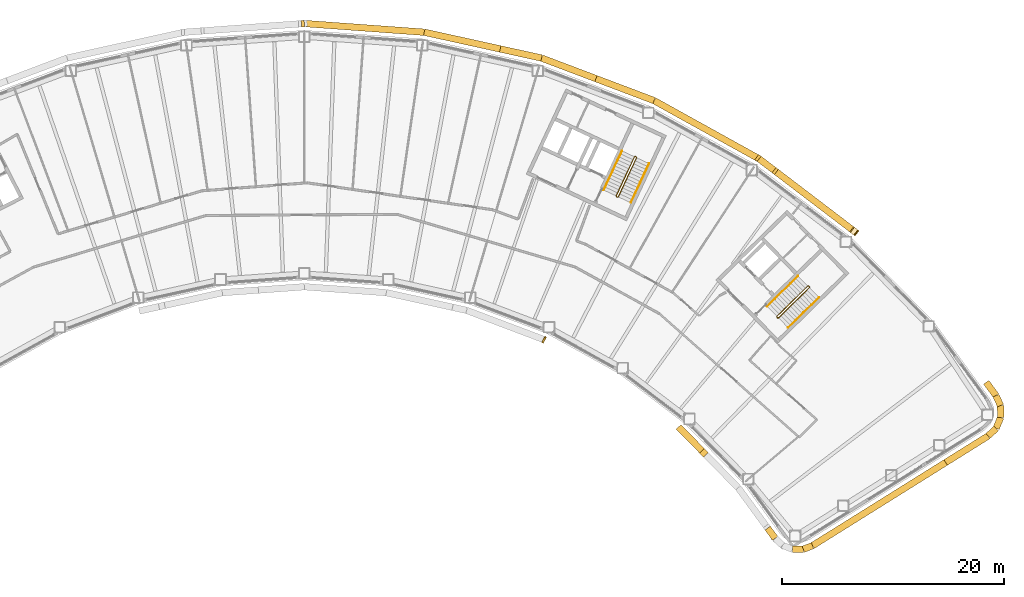
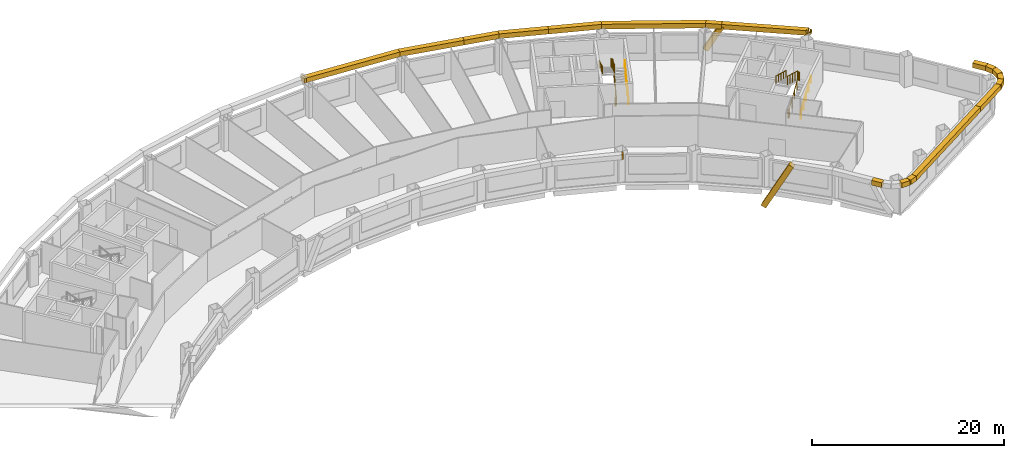
# One storey, part 11 of 11: 24 coverings, 6 railings.
"""IFC4 building model written with IfcOpenShell, lengths in metres."""

from ifc_helpers import new_model, si_unit, direction, frame, origin, origin_2d, place, context, subcontext, project, spatial, rectangle, circle, extrude, material, material_profile, profile_set, type_object, element, save


model = new_model("IFC4")

# Units and contexts
model_context = context("Model", 3, precision=1e-05, world=origin(), true_north=direction((0.0, 1.0)))
body_context = subcontext(model_context, "Body", "Model", "MODEL_VIEW")
ifc_project = project(units=[si_unit("LENGTHUNIT", "METRE"), si_unit("AREAUNIT", "SQUARE_METRE"), si_unit("VOLUMEUNIT", "CUBIC_METRE"), si_unit("PLANEANGLEUNIT", "RADIAN"), si_unit("MASSUNIT", "GRAM", prefix="KILO")], contexts=[model_context])

# Site, building, storey
site_placement = place(None, origin())
site = spatial("IfcSite", under=ifc_project, at=site_placement, CompositionType="ELEMENT")
building_placement = place(site_placement, origin())
building = spatial("IfcBuilding", under=site, at=building_placement, Name="Tuul Gate Civic Tower", CompositionType="ELEMENT")
storey_placement = place(building_placement, frame((0.0, 0.0, 142.39990234375)))
storey = spatial("IfcBuildingStorey", under=building, at=storey_placement, Name="Level 32", CompositionType="ELEMENT", Elevation=142.39990234375)

# Railings
ifc_material_1 = material(Name="Painted steel", Category="steel")
railing_type_1 = type_object("IfcRailingType", Name="Stair guard", PredefinedType="GUARDRAIL", material=ifc_material_1)
railing_1_placement = place(storey_placement, frame((48.10546875, -16.134765625, 0.0)))
element("IfcRailing", 1, at=railing_1_placement, inside=storey, type_object=railing_type_1, Name="Level 32 ST-3 stair guard 1", PredefinedType="GUARDRAIL", context=body_context, shape_type="SweptSolid", body=[
    extrude(circle(Radius=0.02392578125, at=origin_2d()), frame((0.0, 0.0, 1.076171875), z_axis=(-0.698506948293, 0.715603272202, 0.0), x_axis=(-0.715603272202, -0.698506948293, 0.0)), (0.0, 0.0, 1.0), 0.099853515625),
    extrude(circle(Radius=0.02392578125, at=origin_2d()), frame((-0.06982421875, 0.071533203125, 1.076171875), z_axis=(0.644948864628, -0.331432055434, 0.688617277337), x_axis=(0.457068866502, 0.889431307788, 0.0)), (0.0, 0.0, 1.0), 0.218017578125),
    extrude(circle(Radius=0.02392578125, at=origin_2d()), frame((0.07080078125, -0.000732421875, 1.22607421875), z_axis=(0.638731261263, 0.626133563701, 0.447190268558), x_axis=(-0.700029477518, 0.714113947914, 0.0)), (0.0, 0.0, 1.0), 4.3603515625),
    extrude(circle(Radius=0.02392578125, at=origin_2d()), frame((2.85595703125, 2.7294921875, 3.17626953125), z_axis=(0.010380063588, 0.999946125689, 0.0), x_axis=(-0.999946125689, 0.010380063588, 0.0)), (0.0, 0.0, 1.0), 0.070556640625),
    extrude(circle(Radius=0.02392578125, at=origin_2d()), frame((2.856689453125, 2.800048828125, 3.17626953125), z_axis=(-0.699754442181, 0.714383454909, 0.0), x_axis=(-0.714383454909, -0.699754442181, 0.0)), (0.0, 0.0, 1.0), 0.10009765625),
    extrude(circle(Radius=0.02392578125, at=origin_2d()), frame((2.78662109375, 2.87158203125, 3.17626953125), z_axis=(-0.427069033481, 0.004417955519, 0.904208229508), x_axis=(-0.010344274102, -0.999946496565, 0.0)), (0.0, 0.0, 1.0), 0.165771484375),
    extrude(circle(Radius=0.02392578125, at=origin_2d()), frame((2.7158203125, 2.872314453125, 3.326171875), z_axis=(-0.638715268259, -0.626117886127, 0.447235059857), x_axis=(0.700029477518, -0.714113947914, 0.0)), (0.0, 0.0, 1.0), 4.360595703125),
    extrude(circle(Radius=0.02099609375, at=origin_2d()), origin(), (0.0, 0.0, 1.0), 1.052001953125),
    extrude(circle(Radius=0.02099609375, at=origin_2d()), frame((-0.06982421875, 0.071533203125, 0.0)), (0.0, 0.0, 1.0), 1.052001953125),
    extrude(circle(Radius=0.02099609375, at=origin_2d()), frame((0.07080078125, -0.000732421875, 0.150146484375)), (0.0, 0.0, 1.0), 1.052001953125),
    extrude(circle(Radius=0.02099609375, at=origin_2d()), frame((0.76708984375, 0.681884765625, 0.6376953125)), (0.0, 0.0, 1.0), 1.052001953125),
    extrude(circle(Radius=0.02099609375, at=origin_2d()), frame((1.46337890625, 1.3642578125, 1.125)), (0.0, 0.0, 1.0), 1.052001953125),
    extrude(circle(Radius=0.02099609375, at=origin_2d()), frame((2.15966796875, 2.046875, 1.612548828125)), (0.0, 0.0, 1.0), 1.052001953125),
    extrude(circle(Radius=0.02099609375, at=origin_2d()), frame((2.85595703125, 2.7294921875, 2.10009765625)), (0.0, 0.0, 1.0), 1.052001953125),
    extrude(circle(Radius=0.02099609375, at=origin_2d()), frame((2.856689453125, 2.800048828125, 2.10009765625)), (0.0, 0.0, 1.0), 1.052001953125),
    extrude(circle(Radius=0.02099609375, at=origin_2d()), frame((2.78662109375, 2.87158203125, 2.10009765625)), (0.0, 0.0, 1.0), 1.052001953125),
    extrude(circle(Radius=0.02099609375, at=origin_2d()), frame((2.7158203125, 2.872314453125, 2.25)), (0.0, 0.0, 1.0), 1.052001953125),
    extrude(circle(Radius=0.02099609375, at=origin_2d()), frame((2.01953125, 2.189697265625, 2.737548828125)), (0.0, 0.0, 1.0), 1.052001953125),
    extrude(circle(Radius=0.02099609375, at=origin_2d()), frame((1.3232421875, 1.50732421875, 3.22509765625)), (0.0, 0.0, 1.0), 1.052001953125),
    extrude(circle(Radius=0.02099609375, at=origin_2d()), frame((0.626953125, 0.82470703125, 3.712646484375)), (0.0, 0.0, 1.0), 1.052001953125),
    extrude(circle(Radius=0.02099609375, at=origin_2d()), frame((-0.0693359375, 0.14208984375, 4.2001953125)), (0.0, 0.0, 1.0), 1.052001953125),
])
railing_2_placement = place(storey_placement, frame((33.645751953125, -5.238525390625, 0.0)))
element("IfcRailing", 2, at=railing_2_placement, inside=storey, type_object=railing_type_1, Name="Level 32 ST-4 stair guard 1", PredefinedType="GUARDRAIL", context=body_context, shape_type="SweptSolid", body=[
    extrude(circle(Radius=0.02392578125, at=origin_2d()), frame((0.0, 0.0, 1.076171875), z_axis=(-0.906307919131, 0.422617978463, 0.0), x_axis=(-0.422617978463, -0.906307919131, 0.0)), (0.0, 0.0, 1.0), 0.099853515625),
    extrude(circle(Radius=0.02392578125, at=origin_2d()), frame((-0.090576171875, 0.042236328125, 1.076171875), z_axis=(0.720179819621, -0.082882280952, 0.688818956559), x_axis=(0.114330889033, 0.993442724979, 0.0)), (0.0, 0.0, 1.0), 0.218017578125),
    extrude(circle(Radius=0.02392578125, at=origin_2d()), frame((0.06640625, 0.024169921875, 1.22607421875), z_axis=(0.377946903738, 0.810654114417, 0.447209173356), x_axis=(-0.906336612539, 0.422556439746, 0.0)), (0.0, 0.0, 1.0), 4.3603515625),
    extrude(circle(Radius=0.02392578125, at=origin_2d()), frame((1.71435546875, 3.558837890625, 3.17626953125), z_axis=(-0.342020437038, 0.939692513883, 0.0), x_axis=(-0.939692513883, -0.342020437038, 0.0)), (0.0, 0.0, 1.0), 0.070556640625),
    extrude(circle(Radius=0.02392578125, at=origin_2d()), frame((1.690185546875, 3.625244140625, 3.17626953125), z_axis=(-0.906307919131, 0.422617978463, 0.0), x_axis=(-0.422617978463, -0.906307919131, 0.0)), (0.0, 0.0, 1.0), 0.099853515625),
    extrude(circle(Radius=0.02392578125, at=origin_2d()), frame((1.599609375, 3.66748046875, 3.17626953125), z_axis=(-0.40070210376, -0.145843780413, 0.904526072458), x_axis=(0.342020437038, -0.939692513883, 0.0)), (0.0, 0.0, 1.0), 0.165771484375),
    extrude(circle(Radius=0.02392578125, at=origin_2d()), frame((1.533203125, 3.643310546875, 3.326171875), z_axis=(-0.377937439636, -0.810633814971, 0.447253965602), x_axis=(0.906336612539, -0.422556439746, 0.0)), (0.0, 0.0, 1.0), 4.3603515625),
    extrude(circle(Radius=0.02099609375, at=origin_2d()), origin(), (0.0, 0.0, 1.0), 1.052001953125),
    extrude(circle(Radius=0.02099609375, at=origin_2d()), frame((-0.090576171875, 0.042236328125, 0.0)), (0.0, 0.0, 1.0), 1.052001953125),
    extrude(circle(Radius=0.02099609375, at=origin_2d()), frame((0.06640625, 0.024169921875, 0.150146484375)), (0.0, 0.0, 1.0), 1.052001953125),
    extrude(circle(Radius=0.02099609375, at=origin_2d()), frame((0.478515625, 0.90771484375, 0.6376953125)), (0.0, 0.0, 1.0), 1.052001953125),
    extrude(circle(Radius=0.02099609375, at=origin_2d()), frame((0.890380859375, 1.79150390625, 1.125)), (0.0, 0.0, 1.0), 1.052001953125),
    extrude(circle(Radius=0.02099609375, at=origin_2d()), frame((1.30224609375, 2.67529296875, 1.612548828125)), (0.0, 0.0, 1.0), 1.052001953125),
    extrude(circle(Radius=0.02099609375, at=origin_2d()), frame((1.71435546875, 3.558837890625, 2.10009765625)), (0.0, 0.0, 1.0), 1.052001953125),
    extrude(circle(Radius=0.02099609375, at=origin_2d()), frame((1.690185546875, 3.625244140625, 2.10009765625)), (0.0, 0.0, 1.0), 1.052001953125),
    extrude(circle(Radius=0.02099609375, at=origin_2d()), frame((1.599609375, 3.66748046875, 2.10009765625)), (0.0, 0.0, 1.0), 1.052001953125),
    extrude(circle(Radius=0.02099609375, at=origin_2d()), frame((1.533203125, 3.643310546875, 2.25)), (0.0, 0.0, 1.0), 1.052001953125),
    extrude(circle(Radius=0.02099609375, at=origin_2d()), frame((1.12109375, 2.759765625, 2.737548828125)), (0.0, 0.0, 1.0), 1.052001953125),
    extrude(circle(Radius=0.02099609375, at=origin_2d()), frame((0.709228515625, 1.8759765625, 3.22509765625)), (0.0, 0.0, 1.0), 1.052001953125),
    extrude(circle(Radius=0.02099609375, at=origin_2d()), frame((0.29736328125, 0.9921875, 3.712646484375)), (0.0, 0.0, 1.0), 1.052001953125),
    extrude(circle(Radius=0.02099609375, at=origin_2d()), frame((-0.11474609375, 0.108642578125, 4.2001953125)), (0.0, 0.0, 1.0), 1.052001953125),
])
ifc_material_2 = material(Name="Painted steel", Category="steel")
railing_type_2 = type_object("IfcRailingType", Name="Stair handrail", PredefinedType="HANDRAIL", material=ifc_material_2)
railing_3_placement = place(storey_placement, frame((49.05126953125, -17.028076171875, 0.150146484375)))
element("IfcRailing", 3, at=railing_3_placement, inside=storey, type_object=railing_type_2, Name="Level 32 ST-3 stair handrail 1", PredefinedType="HANDRAIL", context=body_context, shape_type="SweptSolid", body=[
    extrude(circle(Radius=0.02392578125, at=origin_2d()), frame((0.0, 0.0, 0.8759765625), z_axis=(0.638753653487, 0.626099522554, 0.447205945863), x_axis=(-0.699997553204, 0.714145241186, 0.0)), (0.0, 0.0, 1.0), 4.3603515625),
    extrude(circle(Radius=0.02099609375, at=origin_2d()), origin(), (0.0, 0.0, 1.0), 0.851806640625),
    extrude(circle(Radius=0.02099609375, at=origin_2d()), frame((0.6962890625, 0.6826171875, 0.487548828125)), (0.0, 0.0, 1.0), 0.851806640625),
    extrude(circle(Radius=0.02099609375, at=origin_2d()), frame((1.392578125, 1.364990234375, 0.97509765625)), (0.0, 0.0, 1.0), 0.851806640625),
    extrude(circle(Radius=0.02099609375, at=origin_2d()), frame((2.0888671875, 2.04736328125, 1.46240234375)), (0.0, 0.0, 1.0), 0.851806640625),
    extrude(circle(Radius=0.02099609375, at=origin_2d()), frame((2.78515625, 2.72998046875, 1.949951171875)), (0.0, 0.0, 1.0), 0.851806640625),
])
railing_4_placement = place(storey_placement, frame((49.9462890625, -12.369873046875, 2.25)))
element("IfcRailing", 4, at=railing_4_placement, inside=storey, type_object=railing_type_2, Name="Level 32 ST-3 stair handrail 2", PredefinedType="HANDRAIL", context=body_context, shape_type="SweptSolid", body=[
    extrude(circle(Radius=0.02392578125, at=origin_2d()), frame((0.0, 0.0, 0.8759765625), z_axis=(-0.638737658801, -0.626083844733, 0.447250737947), x_axis=(0.699997553204, -0.714145241186, 0.0)), (0.0, 0.0, 1.0), 4.3603515625),
    extrude(circle(Radius=0.02099609375, at=origin_2d()), origin(), (0.0, 0.0, 1.0), 0.851806640625),
    extrude(circle(Radius=0.02099609375, at=origin_2d()), frame((-0.6962890625, -0.6826171875, 0.487548828125)), (0.0, 0.0, 1.0), 0.851806640625),
    extrude(circle(Radius=0.02099609375, at=origin_2d()), frame((-1.392578125, -1.364990234375, 0.97509765625)), (0.0, 0.0, 1.0), 0.851806640625),
    extrude(circle(Radius=0.02099609375, at=origin_2d()), frame((-2.0888671875, -2.04736328125, 1.462646484375)), (0.0, 0.0, 1.0), 0.851806640625),
    extrude(circle(Radius=0.02099609375, at=origin_2d()), frame((-2.78515625, -2.72998046875, 1.9501953125)), (0.0, 0.0, 1.0), 0.851806640625),
])
railing_5_placement = place(storey_placement, frame((34.844970703125, -5.74267578125, 0.150146484375)))
element("IfcRailing", 5, at=railing_5_placement, inside=storey, type_object=railing_type_2, Name="Level 32 ST-4 stair handrail 1", PredefinedType="HANDRAIL", context=body_context, shape_type="SweptSolid", body=[
    extrude(circle(Radius=0.02392578125, at=origin_2d()), frame((0.0, 0.0, 0.8759765625), z_axis=(0.377994896215, 0.810636958585, 0.447199709091), x_axis=(-0.906312636903, 0.422607861012, 0.0)), (0.0, 0.0, 1.0), 4.3603515625),
    extrude(circle(Radius=0.02099609375, at=origin_2d()), origin(), (0.0, 0.0, 1.0), 0.851806640625),
    extrude(circle(Radius=0.02099609375, at=origin_2d()), frame((0.412109375, 0.8837890625, 0.487548828125)), (0.0, 0.0, 1.0), 0.851806640625),
    extrude(circle(Radius=0.02099609375, at=origin_2d()), frame((0.82421875, 1.767333984375, 0.97509765625)), (0.0, 0.0, 1.0), 0.851806640625),
    extrude(circle(Radius=0.02099609375, at=origin_2d()), frame((1.236083984375, 2.65087890625, 1.46240234375)), (0.0, 0.0, 1.0), 0.851806640625),
    extrude(circle(Radius=0.02099609375, at=origin_2d()), frame((1.648193359375, 3.53466796875, 1.949951171875)), (0.0, 0.0, 1.0), 0.851806640625),
])
railing_6_placement = place(storey_placement, frame((34.046142578125, -1.06689453125, 2.25)))
element("IfcRailing", 6, at=railing_6_placement, inside=storey, type_object=railing_type_2, Name="Level 32 ST-4 stair handrail 2", PredefinedType="HANDRAIL", context=body_context, shape_type="SweptSolid", body=[
    extrude(circle(Radius=0.02392578125, at=origin_2d()), frame((0.0, 0.0, 0.8759765625), z_axis=(-0.377985431313, -0.810616660428, 0.447244500863), x_axis=(0.906312636903, -0.422607861012, 0.0)), (0.0, 0.0, 1.0), 4.3603515625),
    extrude(circle(Radius=0.02099609375, at=origin_2d()), origin(), (0.0, 0.0, 1.0), 0.851806640625),
    extrude(circle(Radius=0.02099609375, at=origin_2d()), frame((-0.412109375, -0.8837890625, 0.487548828125)), (0.0, 0.0, 1.0), 0.851806640625),
    extrude(circle(Radius=0.02099609375, at=origin_2d()), frame((-0.82421875, -1.767333984375, 0.97509765625)), (0.0, 0.0, 1.0), 0.851806640625),
    extrude(circle(Radius=0.02099609375, at=origin_2d()), frame((-1.236083984375, -2.65087890625, 1.462646484375)), (0.0, 0.0, 1.0), 0.851806640625),
    extrude(circle(Radius=0.02099609375, at=origin_2d()), frame((-1.648193359375, -3.53466796875, 1.9501953125)), (0.0, 0.0, 1.0), 0.851806640625),
])

# Coverings
ifc_material_3 = material(Name="Terracotta baguette", Category="masonry")
ifc_material_profile = material_profile(ifc_material_3, rectangle(XDim=0.60009765625, YDim=0.60009765625, at=origin_2d()), Name="Terracotta baguette screen frame")
ifc_profile_set = profile_set([ifc_material_profile], Name="Terracotta baguette")
covering_type = type_object("IfcCoveringType", Name="Terracotta baguette screen frame", PredefinedType="CLADDING", material=ifc_profile_set)
covering_1_placement = place(storey_placement, frame((63.275146484375, -29.19384765625, 3.85009765625), z_axis=(0.848058898511, 0.529901976461, 0.0), x_axis=(-0.529901976461, 0.848058898511, 0.0)))
element("IfcCovering", 7, at=covering_1_placement, inside=storey, type_object=covering_type, Name="Baguette 4", PredefinedType="CLADDING", context=body_context, shape_type="SweptSolid", body=[
    extrude(rectangle(XDim=0.60009765625, YDim=0.60009765625, at=origin_2d()), origin(), (0.0, 0.0, 1.0), 4.526611328125),
])
covering_2_placement = place(storey_placement, frame((67.114013671875, -26.795166015625, 3.85009765625), z_axis=(0.722137314744, 0.691749737011, 0.0), x_axis=(-0.691749737011, 0.722137314744, 0.0)))
element("IfcCovering", 8, at=covering_2_placement, inside=storey, type_object=covering_type, Name="Baguette 5", PredefinedType="CLADDING", context=body_context, shape_type="SweptSolid", body=[
    extrude(rectangle(XDim=0.60009765625, YDim=0.60009765625, at=origin_2d()), origin(), (0.0, 0.0, 1.0), 0.98828125),
])
covering_3_placement = place(storey_placement, frame((67.82763671875, -26.111572265625, 3.85009765625), z_axis=(0.385784883999, 0.922588761734, 0.0), x_axis=(-0.922588761734, 0.385784883999, 0.0)))
element("IfcCovering", 9, at=covering_3_placement, inside=storey, type_object=covering_type, Name="Baguette 6", PredefinedType="CLADDING", context=body_context, shape_type="SweptSolid", body=[
    extrude(rectangle(XDim=0.60009765625, YDim=0.60009765625, at=origin_2d()), origin(), (0.0, 0.0, 1.0), 1.06689453125),
])
covering_4_placement = place(storey_placement, frame((68.2392578125, -25.127197265625, 3.85009765625), z_axis=(-0.014633694716, 0.999892921757, 0.0), x_axis=(-0.999892921757, -0.014633694716, 0.0)))
element("IfcCovering", 10, at=covering_4_placement, inside=storey, type_object=covering_type, Name="Baguette 7", PredefinedType="CLADDING", context=body_context, shape_type="SweptSolid", body=[
    extrude(rectangle(XDim=0.60009765625, YDim=0.60009765625, at=origin_2d()), origin(), (0.0, 0.0, 1.0), 1.067626953125),
])
covering_5_placement = place(storey_placement, frame((68.2236328125, -24.0595703125, 3.85009765625), z_axis=(-0.413393330634, 0.910552554325, 0.0), x_axis=(-0.910552554325, -0.413393330634, 0.0)))
element("IfcCovering", 11, at=covering_5_placement, inside=storey, type_object=covering_type, Name="Baguette 8", PredefinedType="CLADDING", context=body_context, shape_type="SweptSolid", body=[
    extrude(rectangle(XDim=0.60009765625, YDim=0.60009765625, at=origin_2d()), origin(), (0.0, 0.0, 1.0), 0.988037109375),
])
covering_6_placement = place(storey_placement, frame((67.815185546875, -23.159912109375, 3.85009765625), z_axis=(-0.589811807799, 0.807540730478, 0.0), x_axis=(-0.807540730478, -0.589811807799, 0.0)))
element("IfcCovering", 12, at=covering_6_placement, inside=storey, type_object=covering_type, Name="Baguette 9", PredefinedType="CLADDING", context=body_context, shape_type="SweptSolid", body=[
    extrude(rectangle(XDim=0.60009765625, YDim=0.60009765625, at=origin_2d()), origin(), (0.0, 0.0, 1.0), 1.49462890625),
])
for number, where, z_axis, x_axis, name in (
    (13, (55.067626953125, -8.357177734375, 4.017822265625), (-0.3789239456, 0.288033404595, -0.879461995363), (-0.605151459078, -0.796110363942, 0.0), "Baguette 28"),
    (14, (54.995361328125, -8.30224609375, 3.85009765625), (0.3789239456, -0.288033404595, -0.879461995363), (0.605151459078, 0.796110363942, 0.0), "Baguette 31"),
):
    element("IfcCovering", number, at=place(storey_placement, frame(where, z_axis=z_axis, x_axis=x_axis)), inside=storey, type_object=covering_type, Name=name, PredefinedType="CLADDING", context=body_context, shape_type="SweptSolid", body=[
        extrude(rectangle(XDim=0.60009765625, YDim=0.60009765625, at=origin_2d()), origin(), (0.0, 0.0, 1.0), 0.190673828125),
    ])
covering_7_placement = place(storey_placement, frame((54.995361328125, -8.30224609375, 3.85009765625), z_axis=(-0.795609596357, 0.605809681488, 0.0), x_axis=(-0.605809681488, -0.795609596357, 0.0)))
element("IfcCovering", 15, at=covering_7_placement, inside=storey, type_object=covering_type, Name="Baguette 33", PredefinedType="CLADDING", context=body_context, shape_type="SweptSolid", body=[
    extrude(rectangle(XDim=0.60009765625, YDim=0.60009765625, at=origin_2d()), origin(), (0.0, 0.0, 1.0), 9.072265625),
])
covering_8_placement = place(storey_placement, frame((47.77734375, -2.80615234375, 3.85009765625), z_axis=(-0.378068215842, 0.28784582991, -0.879891585579), x_axis=(-0.605768691074, -0.795640806467, 0.0)))
element("IfcCovering", 16, at=covering_8_placement, inside=storey, type_object=covering_type, Name="Baguette 37", PredefinedType="CLADDING", context=body_context, shape_type="SweptSolid", body=[
    extrude(rectangle(XDim=0.60009765625, YDim=0.60009765625, at=origin_2d()), origin(), (0.0, 0.0, 1.0), 3.552978515625),
])
covering_9_placement = place(storey_placement, frame((31.7001953125, 5.460205078125, 3.85009765625), z_axis=(-0.935357847224, 0.353702838039, 0.0), x_axis=(-0.353702838039, -0.935357847224, 0.0)))
element("IfcCovering", 17, at=covering_9_placement, inside=storey, type_object=covering_type, Name="Baguette 54", PredefinedType="CLADDING", context=body_context, shape_type="SweptSolid", body=[
    extrude(rectangle(XDim=0.60009765625, YDim=0.60009765625, at=origin_2d()), origin(), (0.0, 0.0, 1.0), 5.245849609375),
])
covering_10_placement = place(storey_placement, frame((26.79345703125, 7.315673828125, 3.85009765625), z_axis=(-0.976554947182, 0.21526828641, 0.0), x_axis=(-0.21526828641, -0.976554947182, 0.0)))
element("IfcCovering", 18, at=covering_10_placement, inside=storey, type_object=covering_type, Name="Baguette 55", PredefinedType="CLADDING", context=body_context, shape_type="SweptSolid", body=[
    extrude(rectangle(XDim=0.60009765625, YDim=0.60009765625, at=origin_2d()), origin(), (0.0, 0.0, 1.0), 3.826416015625),
])
covering_11_placement = place(storey_placement, frame((26.954833984375, -18.083251953125, 3.85009765625), z_axis=(0.875065648596, -0.484004246518, 0.0), x_axis=(0.484004246518, 0.875065648596, 0.0)))
element("IfcCovering", 19, at=covering_11_placement, inside=storey, type_object=covering_type, Name="Baguette 231", PredefinedType="CLADDING", context=body_context, shape_type="SweptSolid", body=[
    extrude(rectangle(XDim=0.60009765625, YDim=0.60009765625, at=origin_2d()), origin(), (0.0, 0.0, 1.0), 0.13916015625),
])
covering_12_placement = place(storey_placement, frame((41.449462890625, -28.3212890625, 3.85009765625), z_axis=(-0.326313416277, 0.332898725304, -0.884702205857), x_axis=(-0.714134909565, -0.700008093482, 0.0)))
element("IfcCovering", 20, at=covering_12_placement, inside=storey, type_object=covering_type, Name="Baguette 250", PredefinedType="CLADDING", context=body_context, shape_type="SweptSolid", body=[
    extrude(rectangle(XDim=0.60009765625, YDim=0.60009765625, at=origin_2d()), origin(), (0.0, 0.0, 1.0), 6.45068359375),
])
covering_13_placement = place(storey_placement, frame((47.77734375, -2.80615234375, 3.85009765625), z_axis=(-0.795640806467, 0.605768691074, 0.0), x_axis=(-0.605768691074, -0.795640806467, 0.0)))
element("IfcCovering", 21, at=covering_13_placement, inside=storey, type_object=covering_type, Name="Baguette 291", PredefinedType="CLADDING", context=body_context, shape_type="SweptSolid", body=[
    extrude(rectangle(XDim=0.60009765625, YDim=0.60009765625, at=origin_2d()), origin(), (0.0, 0.0, 1.0), 1.688232421875),
])
covering_14_placement = place(storey_placement, frame((46.43408203125, -1.783447265625, 3.85009765625), z_axis=(-0.874626999089, 0.484796464987, 0.0), x_axis=(-0.484796464987, -0.874626999089, 0.0)))
element("IfcCovering", 22, at=covering_14_placement, inside=storey, type_object=covering_type, Name="Baguette 292", PredefinedType="CLADDING", context=body_context, shape_type="SweptSolid", body=[
    extrude(rectangle(XDim=0.60009765625, YDim=0.60009765625, at=origin_2d()), origin(), (0.0, 0.0, 1.0), 10.8515625),
])
covering_15_placement = place(storey_placement, frame((36.943115234375, 3.477294921875, 3.85009765625), z_axis=(-0.935339236321, 0.35375205017, 0.0), x_axis=(-0.35375205017, -0.935339236321, 0.0)))
element("IfcCovering", 23, at=covering_15_placement, inside=storey, type_object=covering_type, Name="Baguette 293", PredefinedType="CLADDING", context=body_context, shape_type="SweptSolid", body=[
    extrude(rectangle(XDim=0.60009765625, YDim=0.60009765625, at=origin_2d()), origin(), (0.0, 0.0, 1.0), 5.60546875),
])
covering_16_placement = place(storey_placement, frame((23.056640625, 8.139404296875, 3.85009765625), z_axis=(-0.976571482602, 0.215193260508, 0.0), x_axis=(-0.215193260508, -0.976571482602, 0.0)))
element("IfcCovering", 24, at=covering_16_placement, inside=storey, type_object=covering_type, Name="Baguette 299", PredefinedType="CLADDING", context=body_context, shape_type="SweptSolid", body=[
    extrude(rectangle(XDim=0.60009765625, YDim=0.60009765625, at=origin_2d()), origin(), (0.0, 0.0, 1.0), 7.02490234375),
])
covering_17_placement = place(storey_placement, frame((16.1962890625, 9.651123046875, 3.85009765625), z_axis=(-0.99738669964, 0.072247985304, 0.0), x_axis=(-0.072247985304, -0.99738669964, 0.0)))
element("IfcCovering", 25, at=covering_17_placement, inside=storey, type_object=covering_type, Name="Baguette 300", PredefinedType="CLADDING", context=body_context, shape_type="SweptSolid", body=[
    extrude(rectangle(XDim=0.60009765625, YDim=0.60009765625, at=origin_2d()), origin(), (0.0, 0.0, 1.0), 10.8505859375),
])
covering_18_placement = place(storey_placement, frame((5.3740234375, 10.43505859375, 3.85009765625), z_axis=(-0.997365816959, -0.072535695779, 0.0), x_axis=(0.072535695779, -0.997365816959, 0.0)))
element("IfcCovering", 26, at=covering_18_placement, inside=storey, type_object=covering_type, Name="Baguette 301", PredefinedType="CLADDING", context=body_context, shape_type="SweptSolid", body=[
    extrude(rectangle(XDim=0.60009765625, YDim=0.60009765625, at=origin_2d()), origin(), (0.0, 0.0, 1.0), 0.269287109375),
])
covering_19_placement = place(storey_placement, frame((47.202392578125, -35.12060546875, 3.85009765625), z_axis=(0.589644675037, -0.807662774431, 0.0), x_axis=(0.807662774431, 0.589644675037, 0.0)))
element("IfcCovering", 27, at=covering_19_placement, inside=storey, type_object=covering_type, Name="Baguette 375", PredefinedType="CLADDING", context=body_context, shape_type="SweptSolid", body=[
    extrude(rectangle(XDim=0.60009765625, YDim=0.60009765625, at=origin_2d()), origin(), (0.0, 0.0, 1.0), 1.15234375),
])
covering_20_placement = place(storey_placement, frame((49.44580078125, -37.026611328125, 3.85009765625), z_axis=(0.999996190252, -0.002760340801, 0.0), x_axis=(0.002760340801, 0.999996190252, 0.0)))
element("IfcCovering", 28, at=covering_20_placement, inside=storey, type_object=covering_type, Name="Baguette 378", PredefinedType="CLADDING", context=body_context, shape_type="SweptSolid", body=[
    extrude(rectangle(XDim=0.60009765625, YDim=0.60009765625, at=origin_2d()), origin(), (0.0, 0.0, 1.0), 0.972900390625),
])
covering_21_placement = place(storey_placement, frame((50.418701171875, -37.029296875, 3.85009765625), z_axis=(0.93192841172, 0.362642296801, 0.0), x_axis=(-0.362642296801, 0.93192841172, 0.0)))
element("IfcCovering", 29, at=covering_21_placement, inside=storey, type_object=covering_type, Name="Baguette 379", PredefinedType="CLADDING", context=body_context, shape_type="SweptSolid", body=[
    extrude(rectangle(XDim=0.60009765625, YDim=0.60009765625, at=origin_2d()), origin(), (0.0, 0.0, 1.0), 0.9013671875),
])
covering_22_placement = place(storey_placement, frame((51.2587890625, -36.702392578125, 3.85009765625), z_axis=(0.848051539004, 0.529913754486, 0.0), x_axis=(-0.529913754486, 0.848051539004, 0.0)))
element("IfcCovering", 30, at=covering_22_placement, inside=storey, type_object=covering_type, Name="Baguette 380", PredefinedType="CLADDING", context=body_context, shape_type="SweptSolid", body=[
    extrude(rectangle(XDim=0.60009765625, YDim=0.60009765625, at=origin_2d()), origin(), (0.0, 0.0, 1.0), 14.16943359375),
])

save(model, "model.ifc")
